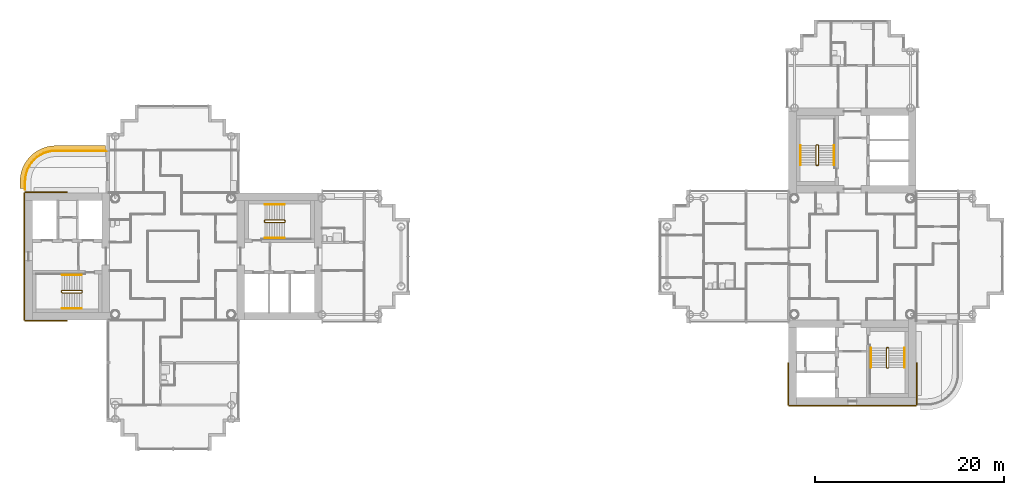
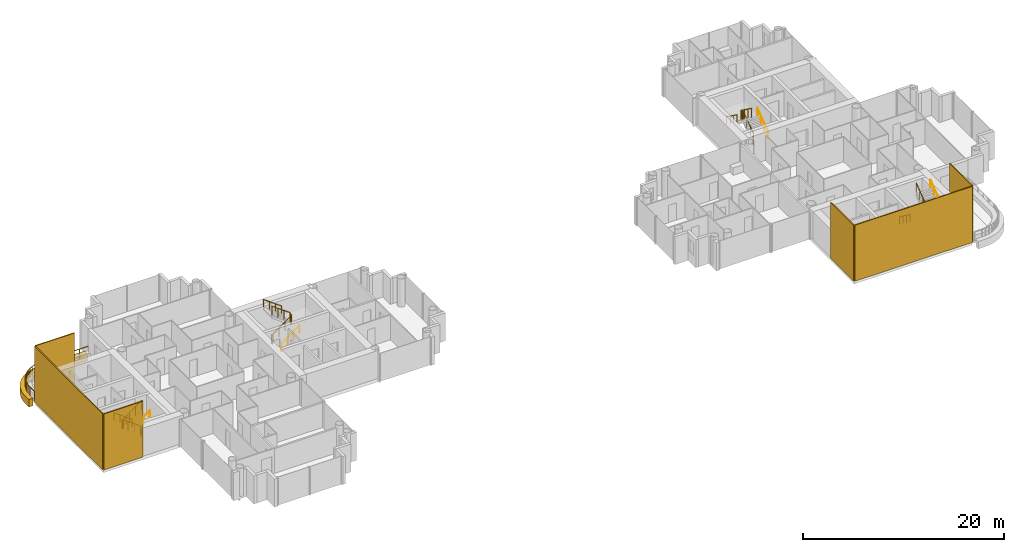
# One storey, part 18 of 20: 13 railings, 7 coverings.
"""IFC4 building model written with IfcOpenShell, lengths in metres."""

from ifc_helpers import new_model, si_unit, direction, frame, origin, origin_2d, place, context, subcontext, project, spatial, polyline, rectangle, circle, outline, extrude, material, layer, layer_set, type_object, element, save


model = new_model("IFC4")

# Units and contexts
model_context = context("Model", 3, precision=1e-05, world=origin(), true_north=direction((0.0, 1.0)))
body_context = subcontext(model_context, "Body", "Model", "MODEL_VIEW")
ifc_project = project(units=[si_unit("LENGTHUNIT", "METRE"), si_unit("AREAUNIT", "SQUARE_METRE"), si_unit("VOLUMEUNIT", "CUBIC_METRE"), si_unit("PLANEANGLEUNIT", "RADIAN"), si_unit("MASSUNIT", "GRAM", prefix="KILO")], contexts=[model_context])

# Site, building, storey
site_placement = place(None, origin())
site = spatial("IfcSite", under=ifc_project, at=site_placement, CompositionType="ELEMENT")
building_placement = place(site_placement, origin())
building = spatial("IfcBuilding", under=site, at=building_placement, Name="Ipe Terrace Towers", CompositionType="ELEMENT")
storey_placement = place(building_placement, frame((0.0, 0.0, 154.10009765625)))
storey = spatial("IfcBuildingStorey", under=building, at=storey_placement, Name="L42", CompositionType="ELEMENT", Elevation=154.10009765625)

# Railing
ifc_material_1 = material(Name="Stainless steel S316", Category="steel")
railing_type_1 = type_object("IfcRailingType", Name="GUARD 1100", PredefinedType="BALUSTRADE", material=ifc_material_1)
railing_1_placement = place(storey_placement, frame((-43.070068359375, 11.199951171875, -0.02001953125)))
element("IfcRailing", 1, at=railing_1_placement, inside=storey, type_object=railing_type_1, Name="guard", PredefinedType="BALUSTRADE", context=body_context, shape_type="SweptSolid", body=[
    extrude(circle(Radius=0.02392578125, at=origin_2d()), frame((0.0, 0.0, 1.076171875), z_axis=(-1.0, 0.0, 0.0), x_axis=(0.0, -1.0, 0.0)), (0.0, 0.0, 1.0), 5.3779296875),
    extrude(circle(Radius=0.02392578125, at=origin_2d()), frame((-5.3779296875, 0.0, 1.076171875), z_axis=(-0.997872833927, -0.065190546171, 0.0), x_axis=(0.065190546171, -0.997872833927, 0.0)), (0.0, 0.0, 1.0), 0.427001953125),
    extrude(circle(Radius=0.02392578125, at=origin_2d()), frame((-5.803955078125, -0.02783203125, 1.076171875), z_axis=(-0.980756958892, -0.195232649896, 0.0), x_axis=(0.195232649896, -0.980756958892, 0.0)), (0.0, 0.0, 1.0), 0.42529296875),
    extrude(circle(Radius=0.02392578125, at=origin_2d()), frame((-6.220947265625, -0.11083984375, 1.076171875), z_axis=(-0.947355280148, -0.320184280026, 0.0), x_axis=(0.320184280026, -0.947355280148, 0.0)), (0.0, 0.0, 1.0), 0.425537109375),
    extrude(circle(Radius=0.02392578125, at=origin_2d()), frame((-6.6240234375, -0.2470703125, 1.076171875), z_axis=(-0.895801099535, -0.444455160923, 0.0), x_axis=(0.444455160923, -0.895801099535, 0.0)), (0.0, 0.0, 1.0), 0.425048828125),
    extrude(circle(Radius=0.02392578125, at=origin_2d()), frame((-7.0048828125, -0.43603515625, 1.076171875), z_axis=(-0.83151910003, -0.55549616226, 0.0), x_axis=(0.55549616226, -0.83151910003, 0.0)), (0.0, 0.0, 1.0), 0.424560546875),
    extrude(circle(Radius=0.02392578125, at=origin_2d()), frame((-7.35791015625, -0.671875, 1.076171875), z_axis=(-0.752612255774, -0.658463964434, 0.0), x_axis=(0.658463964434, -0.752612255774, 0.0)), (0.0, 0.0, 1.0), 0.42529296875),
    extrude(circle(Radius=0.02392578125, at=origin_2d()), frame((-7.677978515625, -0.951904296875, 1.076171875), z_axis=(-0.658463964434, -0.752612255774, 0.0), x_axis=(0.752612255774, -0.658463964434, 0.0)), (0.0, 0.0, 1.0), 0.42529296875),
    extrude(circle(Radius=0.02392578125, at=origin_2d()), frame((-7.9580078125, -1.27197265625, 1.076171875), z_axis=(-0.55549616226, -0.83151910003, 0.0), x_axis=(0.83151910003, -0.55549616226, 0.0)), (0.0, 0.0, 1.0), 0.424560546875),
    extrude(circle(Radius=0.02392578125, at=origin_2d()), frame((-8.19384765625, -1.625, 1.076171875), z_axis=(-0.444455160923, -0.895801099535, 0.0), x_axis=(0.895801099535, -0.444455160923, 0.0)), (0.0, 0.0, 1.0), 0.425048828125),
    extrude(circle(Radius=0.02392578125, at=origin_2d()), frame((-8.3828125, -2.005859375, 1.076171875), z_axis=(-0.320184280026, -0.947355280148, 0.0), x_axis=(0.947355280148, -0.320184280026, 0.0)), (0.0, 0.0, 1.0), 0.425537109375),
    extrude(circle(Radius=0.02392578125, at=origin_2d()), frame((-8.51904296875, -2.408935546875, 1.076171875), z_axis=(-0.195232649896, -0.980756958892, 0.0), x_axis=(0.980756958892, -0.195232649896, 0.0)), (0.0, 0.0, 1.0), 0.42529296875),
    extrude(circle(Radius=0.02392578125, at=origin_2d()), frame((-8.60205078125, -2.825927734375, 1.076171875), z_axis=(-0.065190546171, -0.997872833927, 0.0), x_axis=(0.997872833927, -0.065190546171, 0.0)), (0.0, 0.0, 1.0), 0.427001953125),
    extrude(circle(Radius=0.02392578125, at=origin_2d()), frame((-8.6298828125, -3.251953125, 1.076171875), z_axis=(0.0, -1.0, 0.0), x_axis=(1.0, 0.0, 0.0)), (0.0, 0.0, 1.0), 0.8779296875),
    extrude(circle(Radius=0.02099609375, at=origin_2d()), origin(), (0.0, 0.0, 1.0), 1.052001953125),
    extrude(circle(Radius=0.02099609375, at=origin_2d()), frame((-1.07568359375, 0.0, 0.0)), (0.0, 0.0, 1.0), 1.052001953125),
    extrude(circle(Radius=0.02099609375, at=origin_2d()), frame((-2.151123046875, 0.0, 0.0)), (0.0, 0.0, 1.0), 1.052001953125),
    extrude(circle(Radius=0.02099609375, at=origin_2d()), frame((-3.226806640625, 0.0, 0.0)), (0.0, 0.0, 1.0), 1.052001953125),
    extrude(circle(Radius=0.02099609375, at=origin_2d()), frame((-4.30224609375, 0.0, 0.0)), (0.0, 0.0, 1.0), 1.052001953125),
    extrude(circle(Radius=0.02099609375, at=origin_2d()), frame((-5.3779296875, 0.0, 0.0)), (0.0, 0.0, 1.0), 1.052001953125),
    extrude(circle(Radius=0.02099609375, at=origin_2d()), frame((-5.803955078125, -0.02783203125, 0.0)), (0.0, 0.0, 1.0), 1.052001953125),
    extrude(circle(Radius=0.02099609375, at=origin_2d()), frame((-6.220947265625, -0.11083984375, 0.0)), (0.0, 0.0, 1.0), 1.052001953125),
    extrude(circle(Radius=0.02099609375, at=origin_2d()), frame((-6.6240234375, -0.2470703125, 0.0)), (0.0, 0.0, 1.0), 1.052001953125),
    extrude(circle(Radius=0.02099609375, at=origin_2d()), frame((-7.0048828125, -0.43603515625, 0.0)), (0.0, 0.0, 1.0), 1.052001953125),
    extrude(circle(Radius=0.02099609375, at=origin_2d()), frame((-7.35791015625, -0.671875, 0.0)), (0.0, 0.0, 1.0), 1.052001953125),
    extrude(circle(Radius=0.02099609375, at=origin_2d()), frame((-7.677978515625, -0.951904296875, 0.0)), (0.0, 0.0, 1.0), 1.052001953125),
    extrude(circle(Radius=0.02099609375, at=origin_2d()), frame((-7.9580078125, -1.27197265625, 0.0)), (0.0, 0.0, 1.0), 1.052001953125),
    extrude(circle(Radius=0.02099609375, at=origin_2d()), frame((-8.19384765625, -1.625, 0.0)), (0.0, 0.0, 1.0), 1.052001953125),
    extrude(circle(Radius=0.02099609375, at=origin_2d()), frame((-8.3828125, -2.005859375, 0.0)), (0.0, 0.0, 1.0), 1.052001953125),
    extrude(circle(Radius=0.02099609375, at=origin_2d()), frame((-8.51904296875, -2.408935546875, 0.0)), (0.0, 0.0, 1.0), 1.052001953125),
    extrude(circle(Radius=0.02099609375, at=origin_2d()), frame((-8.60205078125, -2.825927734375, 0.0)), (0.0, 0.0, 1.0), 1.052001953125),
    extrude(circle(Radius=0.02099609375, at=origin_2d()), frame((-8.6298828125, -3.251953125, 0.0)), (0.0, 0.0, 1.0), 1.052001953125),
    extrude(circle(Radius=0.02099609375, at=origin_2d()), frame((-8.6298828125, -4.1298828125, 0.0)), (0.0, 0.0, 1.0), 1.052001953125),
])

# Coverings
ifc_material_2 = material(Name="Concrete C50/60 precast, buff finish", Category="concrete")
ifc_layer_1 = layer(ifc_material_2, 0.1201171875)
ifc_layer_set_1 = layer_set([ifc_layer_1], Name="STONE CORE CLADDING 120")
covering_type_1 = type_object("IfcCoveringType", Name="STONE CORE CLADDING 120", PredefinedType="CLADDING", material=ifc_layer_set_1)
covering_1_placement = place(storey_placement, frame((-49.5, -6.81005859375, 0.0), z_axis=(0.0, 0.0, 1.0), x_axis=(1.0, 0.0, 0.0)))
element("IfcCovering", 2, at=covering_1_placement, inside=storey, type_object=covering_type_1, Name="stone core cladding", PredefinedType="CLADDING", context=body_context, shape_type="SweptSolid", body=[
    extrude(rectangle(XDim=4.5, YDim=0.1201171875, at=origin_2d()), origin(), (0.0, 0.0, 1.0), 6.800048828125),
])
covering_2_placement = place(storey_placement, frame((-51.81005859375, 0.0, 0.0), z_axis=(0.0, 0.0, 1.0), x_axis=(0.0, -1.0, 0.0)))
element("IfcCovering", 3, at=covering_2_placement, inside=storey, type_object=covering_type_1, Name="stone core cladding", PredefinedType="CLADDING", context=body_context, shape_type="SweptSolid", body=[
    extrude(rectangle(XDim=13.5, YDim=0.1201171875, at=origin_2d()), origin(), (0.0, 0.0, 1.0), 6.800048828125),
])
covering_3_placement = place(storey_placement, frame((-49.5, 6.81005859375, 0.0), z_axis=(0.0, 0.0, 1.0), x_axis=(-1.0, 0.0, 0.0)))
element("IfcCovering", 4, at=covering_3_placement, inside=storey, type_object=covering_type_1, Name="stone core cladding", PredefinedType="CLADDING", context=body_context, shape_type="SweptSolid", body=[
    extrude(rectangle(XDim=4.5, YDim=0.1201171875, at=origin_2d()), origin(), (0.0, 0.0, 1.0), 6.800048828125),
])
covering_4_placement = place(storey_placement, frame((36.0, -15.81005859375, 0.0), z_axis=(0.0, 0.0, 1.0), x_axis=(1.0, 0.0, 0.0)))
element("IfcCovering", 5, at=covering_4_placement, inside=storey, type_object=covering_type_1, Name="stone core cladding", PredefinedType="CLADDING", context=body_context, shape_type="SweptSolid", body=[
    extrude(rectangle(XDim=13.5, YDim=0.1201171875, at=origin_2d()), origin(), (0.0, 0.0, 1.0), 6.800048828125),
])
for number, where, z_axis, x_axis, name in (
    (6, (29.18994140625, -13.5, 0.0), (0.0, 0.0, 1.0), (0.0, -1.0, 0.0), "stone core cladding"),
    (7, (42.81005859375, -13.5, 0.0), (0.0, 0.0, 1.0), (0.0, 1.0, 0.0), "stone core cladding"),
):
    element("IfcCovering", number, at=place(storey_placement, frame(where, z_axis=z_axis, x_axis=x_axis)), inside=storey, type_object=covering_type_1, Name=name, PredefinedType="CLADDING", context=body_context, shape_type="SweptSolid", body=[
        extrude(rectangle(XDim=4.5, YDim=0.1201171875, at=origin_2d()), origin(), (0.0, 0.0, 1.0), 6.800048828125),
    ])
ifc_material_3 = material(Name="Concrete C50/60 precast, buff finish", Category="concrete")
ifc_layer_2 = layer(ifc_material_3, 0.5)
ifc_layer_set_2 = layer_set([ifc_layer_2], Name="STONE EDGE BAND 500 x 900")
covering_type_2 = type_object("IfcCoveringType", Name="STONE EDGE BAND 500 x 900", PredefinedType="CLADDING", material=ifc_layer_set_2)
covering_5_placement = place(storey_placement, frame((0.0, 0.0, -0.72021484375)))
element("IfcCovering", 8, at=covering_5_placement, inside=storey, type_object=covering_type_2, Name="stone edge band", PredefinedType="CLADDING", context=body_context, shape_type="SweptSolid", body=[
    extrude(outline(polyline([(-48.449951171875, 11.75), (-48.48291015625, 11.7490234375), (-48.9130859375, 11.720947265625), (-48.97802734375, 11.7119140625), (-49.402099609375, 11.6279296875), (-49.465087890625, 11.611083984375), (-49.8740234375, 11.471923828125), (-49.93408203125, 11.447021484375), (-50.321044921875, 11.256103515625), (-50.3779296875, 11.22412109375), (-50.737060546875, 10.98388671875), (-50.7890625, 10.944091796875), (-51.113037109375, 10.658935546875), (-51.158935546875, 10.613037109375), (-51.444091796875, 10.2890625), (-51.48388671875, 10.237060546875), (-51.72412109375, 9.8779296875), (-51.756103515625, 9.821044921875), (-51.947021484375, 9.43408203125), (-51.971923828125, 9.3740234375), (-52.111083984375, 8.965087890625), (-52.1279296875, 8.902099609375), (-52.2119140625, 8.47802734375), (-52.220947265625, 8.4130859375), (-52.2490234375, 7.98291015625), (-52.25, 7.949951171875), (-52.25, 7.199951171875), (-51.75, 7.199951171875), (-51.75, 7.949951171875), (-51.721923828125, 8.381103515625), (-51.637939453125, 8.803955078125), (-51.4990234375, 9.212890625), (-51.30810546875, 9.60009765625), (-51.068115234375, 9.958984375), (-50.782958984375, 10.282958984375), (-50.458984375, 10.568115234375), (-50.10009765625, 10.80810546875), (-49.712890625, 10.9990234375), (-49.303955078125, 11.137939453125), (-48.881103515625, 11.221923828125), (-48.449951171875, 11.25), (-43.199951171875, 11.25), (-43.199951171875, 11.75), (-48.449951171875, 11.75)])), origin(), (0.0, 0.0, 1.0), 0.900146484375),
])

# Railings
ifc_material_4 = material(Name="Steel S355", Category="steel")
railing_type_2 = type_object("IfcRailingType", Name="Stair guard 1100", PredefinedType="GUARDRAIL", material=ifc_material_4)
railing_2_placement = place(storey_placement, frame((-26.35009765625, 3.800048828125, 0.0)))
element("IfcRailing", 9, at=railing_2_placement, inside=storey, type_object=railing_type_2, Name="L42 T1-ST1 stair guard 1", PredefinedType="GUARDRAIL", context=body_context, shape_type="SweptSolid", body=[
    extrude(circle(Radius=0.02392578125, at=origin_2d()), frame((0.0, 0.0, 1.076171875), z_axis=(0.0, -1.0, 0.0), x_axis=(1.0, 0.0, 0.0)), (0.0, 0.0, 1.0), 0.150146484375),
    extrude(circle(Radius=0.02392578125, at=origin_2d()), frame((0.0, -0.150146484375, 1.076171875), z_axis=(0.248385422981, -0.247173786771, 0.936594790069), x_axis=(0.705375805398, 0.708833529934, 0.0)), (0.0, 0.0, 1.0), 0.201416015625),
    extrude(circle(Radius=0.02392578125, at=origin_2d()), frame((0.050048828125, -0.199951171875, 1.2646484375), z_axis=(0.809023421508, 0.0, 0.587776406001), x_axis=(0.0, 1.0, 0.0)), (0.0, 0.0, 1.0), 2.571044921875),
    extrude(circle(Radius=0.02392578125, at=origin_2d()), frame((2.130126953125, -0.199951171875, 2.77587890625), z_axis=(0.708833529934, 0.705375805398, 0.0), x_axis=(-0.705375805398, 0.708833529934, 0.0)), (0.0, 0.0, 1.0), 0.070556640625),
    extrude(circle(Radius=0.02392578125, at=origin_2d()), frame((2.18017578125, -0.150146484375, 2.77587890625), z_axis=(0.0, 1.0, 0.0), x_axis=(-1.0, 0.0, 0.0)), (0.0, 0.0, 1.0), 0.150146484375),
    extrude(circle(Radius=0.02392578125, at=origin_2d()), frame((2.18017578125, 0.0, 2.77587890625), z_axis=(-0.248310886586, 0.248310886586, 0.936313733321), x_axis=(-0.707106781187, -0.707106781187, 0.0)), (0.0, 0.0, 1.0), 0.20166015625),
    extrude(circle(Radius=0.02392578125, at=origin_2d()), frame((2.130126953125, 0.050048828125, 2.96484375), z_axis=(-0.809023421508, 0.0, 0.587776406001), x_axis=(0.0, -1.0, 0.0)), (0.0, 0.0, 1.0), 2.571044921875),
    extrude(circle(Radius=0.02099609375, at=origin_2d()), origin(), (0.0, 0.0, 1.0), 1.052001953125),
    extrude(circle(Radius=0.02099609375, at=origin_2d()), frame((0.0, -0.150146484375, 0.0)), (0.0, 0.0, 1.0), 1.052001953125),
    extrude(circle(Radius=0.02099609375, at=origin_2d()), frame((0.050048828125, -0.199951171875, 0.188720703125)), (0.0, 0.0, 1.0), 1.052001953125),
    extrude(circle(Radius=0.02099609375, at=origin_2d()), frame((0.743408203125, -0.199951171875, 0.6923828125)), (0.0, 0.0, 1.0), 1.052001953125),
    extrude(circle(Radius=0.02099609375, at=origin_2d()), frame((1.436767578125, -0.199951171875, 1.1962890625)), (0.0, 0.0, 1.0), 1.052001953125),
    extrude(circle(Radius=0.02099609375, at=origin_2d()), frame((2.130126953125, -0.199951171875, 1.699951171875)), (0.0, 0.0, 1.0), 1.052001953125),
    extrude(circle(Radius=0.02099609375, at=origin_2d()), frame((2.18017578125, -0.150146484375, 1.699951171875)), (0.0, 0.0, 1.0), 1.052001953125),
    extrude(circle(Radius=0.02099609375, at=origin_2d()), frame((2.18017578125, 0.0, 1.699951171875)), (0.0, 0.0, 1.0), 1.052001953125),
    extrude(circle(Radius=0.02099609375, at=origin_2d()), frame((2.130126953125, 0.050048828125, 1.888671875)), (0.0, 0.0, 1.0), 1.052001953125),
    extrude(circle(Radius=0.02099609375, at=origin_2d()), frame((1.436767578125, 0.050048828125, 2.392333984375)), (0.0, 0.0, 1.0), 1.052001953125),
    extrude(circle(Radius=0.02099609375, at=origin_2d()), frame((0.743408203125, 0.050048828125, 2.896240234375)), (0.0, 0.0, 1.0), 1.052001953125),
    extrude(circle(Radius=0.02099609375, at=origin_2d()), frame((0.050048828125, 0.050048828125, 3.39990234375)), (0.0, 0.0, 1.0), 1.052001953125),
])
railing_3_placement = place(storey_placement, frame((-45.64990234375, -3.800048828125, 0.0)))
element("IfcRailing", 10, at=railing_3_placement, inside=storey, type_object=railing_type_2, Name="L42 T1-ST2 stair guard 1", PredefinedType="GUARDRAIL", context=body_context, shape_type="SweptSolid", body=[
    extrude(circle(Radius=0.02392578125, at=origin_2d()), frame((0.0, 0.0, 1.076171875), z_axis=(0.0, 1.0, 0.0), x_axis=(-1.0, 0.0, 0.0)), (0.0, 0.0, 1.0), 0.150146484375),
    extrude(circle(Radius=0.02392578125, at=origin_2d()), frame((0.0, 0.150146484375, 1.076171875), z_axis=(-0.248385422981, 0.247173786771, 0.936594790069), x_axis=(-0.705375805398, -0.708833529934, 0.0)), (0.0, 0.0, 1.0), 0.201416015625),
    extrude(circle(Radius=0.02392578125, at=origin_2d()), frame((-0.050048828125, 0.199951171875, 1.2646484375), z_axis=(-0.809023421508, 0.0, 0.587776406001), x_axis=(0.0, -1.0, 0.0)), (0.0, 0.0, 1.0), 2.571044921875),
    extrude(circle(Radius=0.02392578125, at=origin_2d()), frame((-2.130126953125, 0.199951171875, 2.77587890625), z_axis=(-0.708833529934, -0.705375805398, 0.0), x_axis=(0.705375805398, -0.708833529934, 0.0)), (0.0, 0.0, 1.0), 0.070556640625),
    extrude(circle(Radius=0.02392578125, at=origin_2d()), frame((-2.18017578125, 0.150146484375, 2.77587890625), z_axis=(0.0, -1.0, 0.0), x_axis=(1.0, 0.0, 0.0)), (0.0, 0.0, 1.0), 0.150146484375),
    extrude(circle(Radius=0.02392578125, at=origin_2d()), frame((-2.18017578125, 0.0, 2.77587890625), z_axis=(0.248310886586, -0.248310886586, 0.936313733321), x_axis=(0.707106781187, 0.707106781187, 0.0)), (0.0, 0.0, 1.0), 0.20166015625),
    extrude(circle(Radius=0.02392578125, at=origin_2d()), frame((-2.130126953125, -0.050048828125, 2.96484375), z_axis=(0.809023421508, 0.0, 0.587776406001), x_axis=(0.0, 1.0, 0.0)), (0.0, 0.0, 1.0), 2.571044921875),
    extrude(circle(Radius=0.02099609375, at=origin_2d()), origin(), (0.0, 0.0, 1.0), 1.052001953125),
    extrude(circle(Radius=0.02099609375, at=origin_2d()), frame((0.0, 0.150146484375, 0.0)), (0.0, 0.0, 1.0), 1.052001953125),
    extrude(circle(Radius=0.02099609375, at=origin_2d()), frame((-0.050048828125, 0.199951171875, 0.188720703125)), (0.0, 0.0, 1.0), 1.052001953125),
    extrude(circle(Radius=0.02099609375, at=origin_2d()), frame((-0.743408203125, 0.199951171875, 0.6923828125)), (0.0, 0.0, 1.0), 1.052001953125),
    extrude(circle(Radius=0.02099609375, at=origin_2d()), frame((-1.436767578125, 0.199951171875, 1.1962890625)), (0.0, 0.0, 1.0), 1.052001953125),
    extrude(circle(Radius=0.02099609375, at=origin_2d()), frame((-2.130126953125, 0.199951171875, 1.699951171875)), (0.0, 0.0, 1.0), 1.052001953125),
    extrude(circle(Radius=0.02099609375, at=origin_2d()), frame((-2.18017578125, 0.150146484375, 1.699951171875)), (0.0, 0.0, 1.0), 1.052001953125),
    extrude(circle(Radius=0.02099609375, at=origin_2d()), frame((-2.18017578125, 0.0, 1.699951171875)), (0.0, 0.0, 1.0), 1.052001953125),
    extrude(circle(Radius=0.02099609375, at=origin_2d()), frame((-2.130126953125, -0.050048828125, 1.888671875)), (0.0, 0.0, 1.0), 1.052001953125),
    extrude(circle(Radius=0.02099609375, at=origin_2d()), frame((-1.436767578125, -0.050048828125, 2.392333984375)), (0.0, 0.0, 1.0), 1.052001953125),
    extrude(circle(Radius=0.02099609375, at=origin_2d()), frame((-0.743408203125, -0.050048828125, 2.896240234375)), (0.0, 0.0, 1.0), 1.052001953125),
    extrude(circle(Radius=0.02099609375, at=origin_2d()), frame((-0.050048828125, -0.050048828125, 3.39990234375)), (0.0, 0.0, 1.0), 1.052001953125),
])
railing_4_placement = place(storey_placement, frame((32.199951171875, 9.64990234375, 0.0)))
element("IfcRailing", 11, at=railing_4_placement, inside=storey, type_object=railing_type_2, Name="L42 T2-ST1 stair guard 1", PredefinedType="GUARDRAIL", context=body_context, shape_type="SweptSolid", body=[
    extrude(circle(Radius=0.02392578125, at=origin_2d()), frame((0.0, 0.0, 1.076171875), z_axis=(1.0, 0.0, 0.0), x_axis=(0.0, 1.0, 0.0)), (0.0, 0.0, 1.0), 0.150146484375),
    extrude(circle(Radius=0.02392578125, at=origin_2d()), frame((0.150146484375, 0.0, 1.076171875), z_axis=(0.247173786771, 0.248385422981, 0.936594790069), x_axis=(-0.708833529934, 0.705375805398, 0.0)), (0.0, 0.0, 1.0), 0.201416015625),
    extrude(circle(Radius=0.02392578125, at=origin_2d()), frame((0.199951171875, 0.050048828125, 1.2646484375), z_axis=(0.0, 0.809023421508, 0.587776406001), x_axis=(-1.0, 0.0, 0.0)), (0.0, 0.0, 1.0), 2.571044921875),
    extrude(circle(Radius=0.02392578125, at=origin_2d()), frame((0.199951171875, 2.130126953125, 2.77587890625), z_axis=(-0.705375805398, 0.708833529934, 0.0), x_axis=(-0.708833529934, -0.705375805398, 0.0)), (0.0, 0.0, 1.0), 0.070556640625),
    extrude(circle(Radius=0.02392578125, at=origin_2d()), frame((0.150146484375, 2.18017578125, 2.77587890625), z_axis=(-1.0, 0.0, 0.0), x_axis=(0.0, -1.0, 0.0)), (0.0, 0.0, 1.0), 0.150146484375),
    extrude(circle(Radius=0.02392578125, at=origin_2d()), frame((0.0, 2.18017578125, 2.77587890625), z_axis=(-0.248310886586, -0.248310886586, 0.936313733321), x_axis=(0.707106781187, -0.707106781187, 0.0)), (0.0, 0.0, 1.0), 0.20166015625),
    extrude(circle(Radius=0.02392578125, at=origin_2d()), frame((-0.050048828125, 2.130126953125, 2.96484375), z_axis=(0.0, -0.809023421508, 0.587776406001), x_axis=(1.0, 0.0, 0.0)), (0.0, 0.0, 1.0), 2.571044921875),
    extrude(circle(Radius=0.02099609375, at=origin_2d()), origin(), (0.0, 0.0, 1.0), 1.052001953125),
    extrude(circle(Radius=0.02099609375, at=origin_2d()), frame((0.150146484375, 0.0, 0.0)), (0.0, 0.0, 1.0), 1.052001953125),
    extrude(circle(Radius=0.02099609375, at=origin_2d()), frame((0.199951171875, 0.050048828125, 0.188720703125)), (0.0, 0.0, 1.0), 1.052001953125),
    extrude(circle(Radius=0.02099609375, at=origin_2d()), frame((0.199951171875, 0.743408203125, 0.6923828125)), (0.0, 0.0, 1.0), 1.052001953125),
    extrude(circle(Radius=0.02099609375, at=origin_2d()), frame((0.199951171875, 1.436767578125, 1.1962890625)), (0.0, 0.0, 1.0), 1.052001953125),
    extrude(circle(Radius=0.02099609375, at=origin_2d()), frame((0.199951171875, 2.130126953125, 1.699951171875)), (0.0, 0.0, 1.0), 1.052001953125),
    extrude(circle(Radius=0.02099609375, at=origin_2d()), frame((0.150146484375, 2.18017578125, 1.699951171875)), (0.0, 0.0, 1.0), 1.052001953125),
    extrude(circle(Radius=0.02099609375, at=origin_2d()), frame((0.0, 2.18017578125, 1.699951171875)), (0.0, 0.0, 1.0), 1.052001953125),
    extrude(circle(Radius=0.02099609375, at=origin_2d()), frame((-0.050048828125, 2.130126953125, 1.888671875)), (0.0, 0.0, 1.0), 1.052001953125),
    extrude(circle(Radius=0.02099609375, at=origin_2d()), frame((-0.050048828125, 1.436767578125, 2.392333984375)), (0.0, 0.0, 1.0), 1.052001953125),
    extrude(circle(Radius=0.02099609375, at=origin_2d()), frame((-0.050048828125, 0.743408203125, 2.896240234375)), (0.0, 0.0, 1.0), 1.052001953125),
    extrude(circle(Radius=0.02099609375, at=origin_2d()), frame((-0.050048828125, 0.050048828125, 3.39990234375)), (0.0, 0.0, 1.0), 1.052001953125),
])
railing_5_placement = place(storey_placement, frame((39.800048828125, -9.64990234375, 0.0)))
element("IfcRailing", 12, at=railing_5_placement, inside=storey, type_object=railing_type_2, Name="L42 T2-ST2 stair guard 1", PredefinedType="GUARDRAIL", context=body_context, shape_type="SweptSolid", body=[
    extrude(circle(Radius=0.02392578125, at=origin_2d()), frame((0.0, 0.0, 1.076171875), z_axis=(-1.0, 0.0, 0.0), x_axis=(0.0, -1.0, 0.0)), (0.0, 0.0, 1.0), 0.150146484375),
    extrude(circle(Radius=0.02392578125, at=origin_2d()), frame((-0.150146484375, 0.0, 1.076171875), z_axis=(-0.247173786771, -0.248385422981, 0.936594790069), x_axis=(0.708833529934, -0.705375805398, 0.0)), (0.0, 0.0, 1.0), 0.201416015625),
    extrude(circle(Radius=0.02392578125, at=origin_2d()), frame((-0.199951171875, -0.050048828125, 1.2646484375), z_axis=(0.0, -0.809023421508, 0.587776406001), x_axis=(1.0, 0.0, 0.0)), (0.0, 0.0, 1.0), 2.571044921875),
    extrude(circle(Radius=0.02392578125, at=origin_2d()), frame((-0.199951171875, -2.130126953125, 2.77587890625), z_axis=(0.705375805398, -0.708833529934, 0.0), x_axis=(0.708833529934, 0.705375805398, 0.0)), (0.0, 0.0, 1.0), 0.070556640625),
    extrude(circle(Radius=0.02392578125, at=origin_2d()), frame((-0.150146484375, -2.18017578125, 2.77587890625), z_axis=(1.0, 0.0, 0.0), x_axis=(0.0, 1.0, 0.0)), (0.0, 0.0, 1.0), 0.150146484375),
    extrude(circle(Radius=0.02392578125, at=origin_2d()), frame((0.0, -2.18017578125, 2.77587890625), z_axis=(0.248310886586, 0.248310886586, 0.936313733321), x_axis=(-0.707106781187, 0.707106781187, 0.0)), (0.0, 0.0, 1.0), 0.20166015625),
    extrude(circle(Radius=0.02392578125, at=origin_2d()), frame((0.050048828125, -2.130126953125, 2.96484375), z_axis=(0.0, 0.809023421508, 0.587776406001), x_axis=(-1.0, 0.0, 0.0)), (0.0, 0.0, 1.0), 2.571044921875),
    extrude(circle(Radius=0.02099609375, at=origin_2d()), origin(), (0.0, 0.0, 1.0), 1.052001953125),
    extrude(circle(Radius=0.02099609375, at=origin_2d()), frame((-0.150146484375, 0.0, 0.0)), (0.0, 0.0, 1.0), 1.052001953125),
    extrude(circle(Radius=0.02099609375, at=origin_2d()), frame((-0.199951171875, -0.050048828125, 0.188720703125)), (0.0, 0.0, 1.0), 1.052001953125),
    extrude(circle(Radius=0.02099609375, at=origin_2d()), frame((-0.199951171875, -0.743408203125, 0.6923828125)), (0.0, 0.0, 1.0), 1.052001953125),
    extrude(circle(Radius=0.02099609375, at=origin_2d()), frame((-0.199951171875, -1.436767578125, 1.1962890625)), (0.0, 0.0, 1.0), 1.052001953125),
    extrude(circle(Radius=0.02099609375, at=origin_2d()), frame((-0.199951171875, -2.130126953125, 1.699951171875)), (0.0, 0.0, 1.0), 1.052001953125),
    extrude(circle(Radius=0.02099609375, at=origin_2d()), frame((-0.150146484375, -2.18017578125, 1.699951171875)), (0.0, 0.0, 1.0), 1.052001953125),
    extrude(circle(Radius=0.02099609375, at=origin_2d()), frame((0.0, -2.18017578125, 1.699951171875)), (0.0, 0.0, 1.0), 1.052001953125),
    extrude(circle(Radius=0.02099609375, at=origin_2d()), frame((0.050048828125, -2.130126953125, 1.888671875)), (0.0, 0.0, 1.0), 1.052001953125),
    extrude(circle(Radius=0.02099609375, at=origin_2d()), frame((0.050048828125, -1.436767578125, 2.392333984375)), (0.0, 0.0, 1.0), 1.052001953125),
    extrude(circle(Radius=0.02099609375, at=origin_2d()), frame((0.050048828125, -0.743408203125, 2.896240234375)), (0.0, 0.0, 1.0), 1.052001953125),
    extrude(circle(Radius=0.02099609375, at=origin_2d()), frame((0.050048828125, -0.050048828125, 3.39990234375)), (0.0, 0.0, 1.0), 1.052001953125),
])
ifc_material_5 = material(Name="Stainless steel grade 304", Category="steel")
railing_type_3 = type_object("IfcRailingType", Name="Stair handrail 900", PredefinedType="HANDRAIL", material=ifc_material_5)
railing_6_placement = place(storey_placement, frame((-26.300048828125, 1.949951171875, 0.188720703125)))
element("IfcRailing", 13, at=railing_6_placement, inside=storey, type_object=railing_type_3, Name="L42 T1-ST1 stair handrail 1", PredefinedType="HANDRAIL", context=body_context, shape_type="SweptSolid", body=[
    extrude(circle(Radius=0.02392578125, at=origin_2d()), frame((0.0, 0.0, 0.8759765625), z_axis=(0.809023421508, 0.0, 0.587776406001), x_axis=(0.0, 1.0, 0.0)), (0.0, 0.0, 1.0), 2.571044921875),
    extrude(circle(Radius=0.02099609375, at=origin_2d()), origin(), (0.0, 0.0, 1.0), 0.851806640625),
    extrude(circle(Radius=0.02099609375, at=origin_2d()), frame((0.693359375, 0.0, 0.503662109375)), (0.0, 0.0, 1.0), 0.851806640625),
    extrude(circle(Radius=0.02099609375, at=origin_2d()), frame((1.38671875, 0.0, 1.007568359375)), (0.0, 0.0, 1.0), 0.851806640625),
    extrude(circle(Radius=0.02099609375, at=origin_2d()), frame((2.080078125, 0.0, 1.51123046875)), (0.0, 0.0, 1.0), 0.851806640625),
])
for number, where, name in (
    (14, (-24.219970703125, 5.5, 1.888671875), "L42 T1-ST1 stair handrail 2"),
    (15, (-45.699951171875, -1.949951171875, 0.188720703125), "L42 T1-ST2 stair handrail 1"),
):
    element("IfcRailing", number, at=place(storey_placement, frame(where)), inside=storey, type_object=railing_type_3, Name=name, PredefinedType="HANDRAIL", context=body_context, shape_type="SweptSolid", body=[
        extrude(circle(Radius=0.02392578125, at=origin_2d()), frame((0.0, 0.0, 0.8759765625), z_axis=(-0.809023421508, 0.0, 0.587776406001), x_axis=(0.0, -1.0, 0.0)), (0.0, 0.0, 1.0), 2.571044921875),
        extrude(circle(Radius=0.02099609375, at=origin_2d()), origin(), (0.0, 0.0, 1.0), 0.851806640625),
        extrude(circle(Radius=0.02099609375, at=origin_2d()), frame((-0.693359375, 0.0, 0.503662109375)), (0.0, 0.0, 1.0), 0.851806640625),
        extrude(circle(Radius=0.02099609375, at=origin_2d()), frame((-1.38671875, 0.0, 1.007568359375)), (0.0, 0.0, 1.0), 0.851806640625),
        extrude(circle(Radius=0.02099609375, at=origin_2d()), frame((-2.080078125, 0.0, 1.51123046875)), (0.0, 0.0, 1.0), 0.851806640625),
    ])
railing_7_placement = place(storey_placement, frame((-47.780029296875, -5.5, 1.888671875)))
element("IfcRailing", 16, at=railing_7_placement, inside=storey, type_object=railing_type_3, Name="L42 T1-ST2 stair handrail 2", PredefinedType="HANDRAIL", context=body_context, shape_type="SweptSolid", body=[
    extrude(circle(Radius=0.02392578125, at=origin_2d()), frame((0.0, 0.0, 0.8759765625), z_axis=(0.809023421508, 0.0, 0.587776406001), x_axis=(0.0, 1.0, 0.0)), (0.0, 0.0, 1.0), 2.571044921875),
    extrude(circle(Radius=0.02099609375, at=origin_2d()), origin(), (0.0, 0.0, 1.0), 0.851806640625),
    extrude(circle(Radius=0.02099609375, at=origin_2d()), frame((0.693359375, 0.0, 0.503662109375)), (0.0, 0.0, 1.0), 0.851806640625),
    extrude(circle(Radius=0.02099609375, at=origin_2d()), frame((1.38671875, 0.0, 1.007568359375)), (0.0, 0.0, 1.0), 0.851806640625),
    extrude(circle(Radius=0.02099609375, at=origin_2d()), frame((2.080078125, 0.0, 1.51123046875)), (0.0, 0.0, 1.0), 0.851806640625),
])
railing_8_placement = place(storey_placement, frame((34.050048828125, 9.699951171875, 0.188720703125)))
element("IfcRailing", 17, at=railing_8_placement, inside=storey, type_object=railing_type_3, Name="L42 T2-ST1 stair handrail 1", PredefinedType="HANDRAIL", context=body_context, shape_type="SweptSolid", body=[
    extrude(circle(Radius=0.02392578125, at=origin_2d()), frame((0.0, 0.0, 0.8759765625), z_axis=(0.0, 0.809023421508, 0.587776406001), x_axis=(-1.0, 0.0, 0.0)), (0.0, 0.0, 1.0), 2.571044921875),
    extrude(circle(Radius=0.02099609375, at=origin_2d()), origin(), (0.0, 0.0, 1.0), 0.851806640625),
    extrude(circle(Radius=0.02099609375, at=origin_2d()), frame((0.0, 0.693359375, 0.503662109375)), (0.0, 0.0, 1.0), 0.851806640625),
    extrude(circle(Radius=0.02099609375, at=origin_2d()), frame((0.0, 1.38671875, 1.007568359375)), (0.0, 0.0, 1.0), 0.851806640625),
    extrude(circle(Radius=0.02099609375, at=origin_2d()), frame((0.0, 2.080078125, 1.51123046875)), (0.0, 0.0, 1.0), 0.851806640625),
])
for number, where, name in (
    (18, (30.5, 11.780029296875, 1.888671875), "L42 T2-ST1 stair handrail 2"),
    (19, (37.949951171875, -9.699951171875, 0.188720703125), "L42 T2-ST2 stair handrail 1"),
):
    element("IfcRailing", number, at=place(storey_placement, frame(where)), inside=storey, type_object=railing_type_3, Name=name, PredefinedType="HANDRAIL", context=body_context, shape_type="SweptSolid", body=[
        extrude(circle(Radius=0.02392578125, at=origin_2d()), frame((0.0, 0.0, 0.8759765625), z_axis=(0.0, -0.809023421508, 0.587776406001), x_axis=(1.0, 0.0, 0.0)), (0.0, 0.0, 1.0), 2.571044921875),
        extrude(circle(Radius=0.02099609375, at=origin_2d()), origin(), (0.0, 0.0, 1.0), 0.851806640625),
        extrude(circle(Radius=0.02099609375, at=origin_2d()), frame((0.0, -0.693359375, 0.503662109375)), (0.0, 0.0, 1.0), 0.851806640625),
        extrude(circle(Radius=0.02099609375, at=origin_2d()), frame((0.0, -1.38671875, 1.007568359375)), (0.0, 0.0, 1.0), 0.851806640625),
        extrude(circle(Radius=0.02099609375, at=origin_2d()), frame((0.0, -2.080078125, 1.51123046875)), (0.0, 0.0, 1.0), 0.851806640625),
    ])
railing_9_placement = place(storey_placement, frame((41.5, -11.780029296875, 1.888671875)))
element("IfcRailing", 20, at=railing_9_placement, inside=storey, type_object=railing_type_3, Name="L42 T2-ST2 stair handrail 2", PredefinedType="HANDRAIL", context=body_context, shape_type="SweptSolid", body=[
    extrude(circle(Radius=0.02392578125, at=origin_2d()), frame((0.0, 0.0, 0.8759765625), z_axis=(0.0, 0.809023421508, 0.587776406001), x_axis=(-1.0, 0.0, 0.0)), (0.0, 0.0, 1.0), 2.571044921875),
    extrude(circle(Radius=0.02099609375, at=origin_2d()), origin(), (0.0, 0.0, 1.0), 0.851806640625),
    extrude(circle(Radius=0.02099609375, at=origin_2d()), frame((0.0, 0.693359375, 0.503662109375)), (0.0, 0.0, 1.0), 0.851806640625),
    extrude(circle(Radius=0.02099609375, at=origin_2d()), frame((0.0, 1.38671875, 1.007568359375)), (0.0, 0.0, 1.0), 0.851806640625),
    extrude(circle(Radius=0.02099609375, at=origin_2d()), frame((0.0, 2.080078125, 1.51123046875)), (0.0, 0.0, 1.0), 0.851806640625),
])

save(model, "model.ifc")
